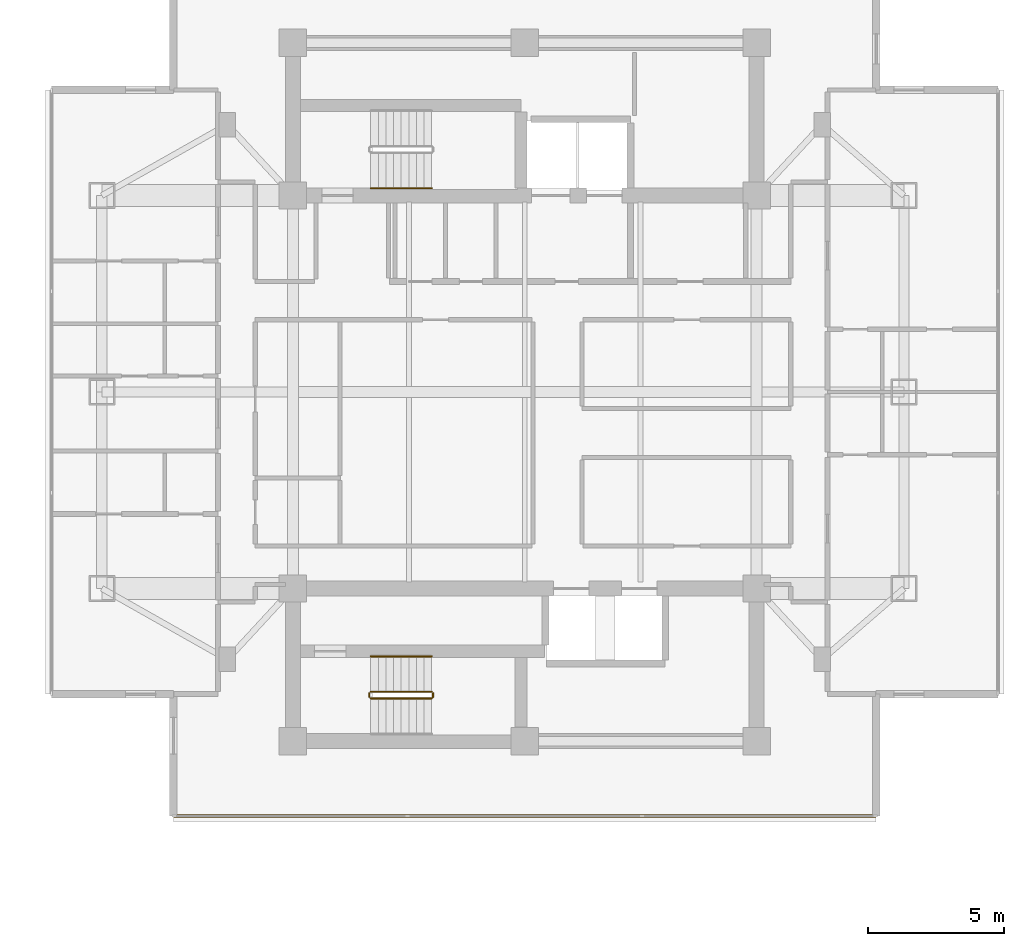
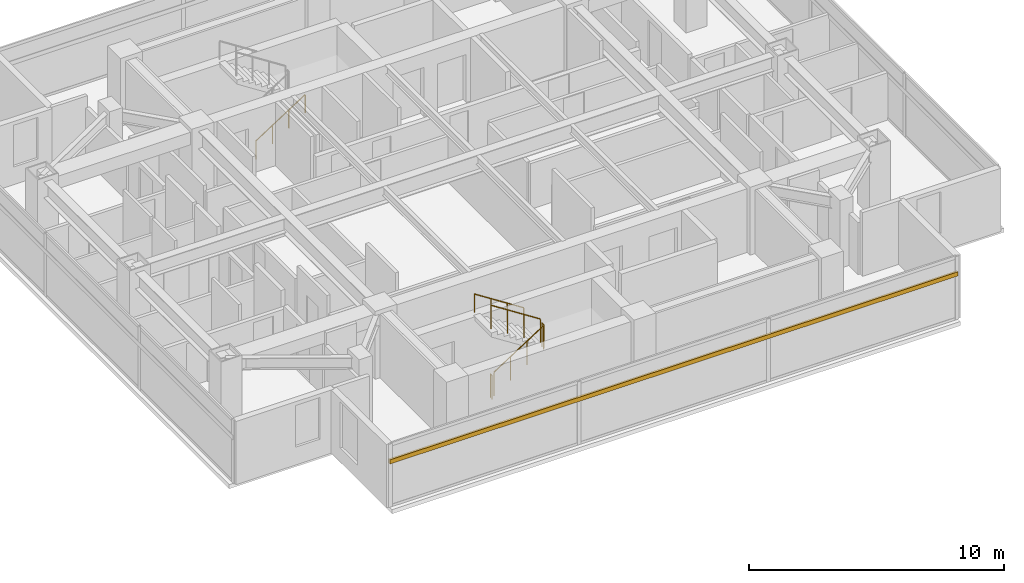
# One storey, part 22 of 24: 6 railings, 1 shading device.
"""IFC4 building model written with IfcOpenShell, lengths in metres."""

from ifc_helpers import new_model, si_unit, direction, frame, origin, origin_2d, place, context, subcontext, project, spatial, rectangle, circle, extrude, material, material_profile, profile_set, type_object, element, save


model = new_model("IFC4")

# Units and contexts
model_context = context("Model", 3, precision=1e-05, world=origin(), true_north=direction((0.0, 1.0)))
body_context = subcontext(model_context, "Body", "Model", "MODEL_VIEW")
ifc_project = project(units=[si_unit("LENGTHUNIT", "METRE"), si_unit("AREAUNIT", "SQUARE_METRE"), si_unit("VOLUMEUNIT", "CUBIC_METRE"), si_unit("PLANEANGLEUNIT", "RADIAN"), si_unit("MASSUNIT", "GRAM", prefix="KILO")], contexts=[model_context])

# Site, building, storey
site_placement = place(None, origin())
site = spatial("IfcSite", under=ifc_project, at=site_placement, CompositionType="ELEMENT")
building_placement = place(site_placement, origin())
building = spatial("IfcBuilding", under=site, at=building_placement, Name="Mirazonda Arch Towers", CompositionType="ELEMENT")
storey_placement = place(building_placement, frame((0.0, 0.0, 164.14990234375)))
storey = spatial("IfcBuildingStorey", under=building, at=storey_placement, Name="L46", CompositionType="ELEMENT", Elevation=164.14990234375)

# Shading device
ifc_material_1 = material(Name="Kiln-Fired Architectural Terracotta", Category="masonry")
ifc_material_profile = material_profile(ifc_material_1, rectangle(XDim=0.10009765625, YDim=0.199951171875, at=origin_2d()), Name="TERRA-BAG-100x200")
ifc_profile_set = profile_set([ifc_material_profile], Name="Kiln-Fired Architectural Terracotta")
shading_device_type = type_object("IfcShadingDeviceType", Name="BAGUETTE-2", PredefinedType="USERDEFINED", material=ifc_profile_set)
shading_device_placement = place(storey_placement, frame((89.38134765625, 12.45849609375, 2.181640625), z_axis=(-1.0, 0.0, 0.0), x_axis=(0.0, -1.0, 0.0)))
element("IfcShadingDevice", 1, at=shading_device_placement, inside=storey, type_object=shading_device_type, Name="L46 Glazed Terracotta Sun-Screen Baguette CW-L46-T2-S", ObjectType="BAGUETTE", PredefinedType="USERDEFINED", context=body_context, shape_type="SweptSolid", body=[
    extrude(rectangle(XDim=0.10009765625, YDim=0.199951171875, at=origin_2d()), origin(), (0.0, 0.0, 1.0), 25.7626953125),
])

# Railings
ifc_material_2 = material(Name="Architectural Brushed Steel S355", Category="steel")
railing_type_1 = type_object("IfcRailingType", Name="GUARD-STAIR-1120", PredefinedType="GUARDRAIL", material=ifc_material_2)
railing_1_placement = place(storey_placement, frame((70.85009765625, 16.77001953125, 0.1806640625)))
element("IfcRailing", 2, at=railing_1_placement, inside=storey, type_object=railing_type_1, Name="L46 ST-T2S stair guard 1", PredefinedType="GUARDRAIL", context=body_context, shape_type="SweptSolid", body=[
    extrude(circle(Radius=0.02392578125, at=origin_2d()), frame((0.0, 0.0, 1.1259765625), z_axis=(0.840436612492, 0.0, 0.541909863706), x_axis=(0.0, 1.0, 0.0)), (0.0, 0.0, 1.0), 2.665283203125),
    extrude(circle(Radius=0.02099609375, at=origin_2d()), origin(), (0.0, 0.0, 1.0), 1.101806640625),
    extrude(circle(Radius=0.02099609375, at=origin_2d()), frame((0.74658203125, 0.0, 0.4814453125)), (0.0, 0.0, 1.0), 1.101806640625),
    extrude(circle(Radius=0.02099609375, at=origin_2d()), frame((1.493408203125, 0.0, 0.962890625)), (0.0, 0.0, 1.0), 1.101806640625),
    extrude(circle(Radius=0.02099609375, at=origin_2d()), frame((2.239990234375, 0.0, 1.4443359375)), (0.0, 0.0, 1.0), 1.101806640625),
])
railing_2_placement = place(storey_placement, frame((73.139892578125, 16.820068359375, 1.625)))
element("IfcRailing", 3, at=railing_2_placement, inside=storey, type_object=railing_type_1, Name="L46 ST-T2S stair guard 2", PredefinedType="GUARDRAIL", context=body_context, shape_type="SweptSolid", body=[
    extrude(circle(Radius=0.02392578125, at=origin_2d()), frame((0.0, 0.0, 1.1259765625), z_axis=(0.0, 1.0, 0.0), x_axis=(-1.0, 0.0, 0.0)), (0.0, 0.0, 1.0), 0.139892578125),
    extrude(circle(Radius=0.02099609375, at=origin_2d()), origin(), (0.0, 0.0, 1.0), 1.101806640625),
    extrude(circle(Radius=0.02099609375, at=origin_2d()), frame((0.0, 0.139892578125, 0.0)), (0.0, 0.0, 1.0), 1.101806640625),
])
railing_3_placement = place(storey_placement, frame((73.090087890625, 17.010009765625, 1.8056640625)))
element("IfcRailing", 4, at=railing_3_placement, inside=storey, type_object=railing_type_1, Name="L46 ST-T2S stair guard 3", PredefinedType="GUARDRAIL", context=body_context, shape_type="SweptSolid", body=[
    extrude(circle(Radius=0.02392578125, at=origin_2d()), frame((0.0, 0.0, 1.1259765625), z_axis=(-0.840436612492, 0.0, 0.541909863706), x_axis=(0.0, -1.0, 0.0)), (0.0, 0.0, 1.0), 2.665283203125),
    extrude(circle(Radius=0.02099609375, at=origin_2d()), origin(), (0.0, 0.0, 1.0), 1.101806640625),
    extrude(circle(Radius=0.02099609375, at=origin_2d()), frame((-0.74658203125, 0.0, 0.4814453125)), (0.0, 0.0, 1.0), 1.101806640625),
    extrude(circle(Radius=0.02099609375, at=origin_2d()), frame((-1.493408203125, 0.0, 0.962890625)), (0.0, 0.0, 1.0), 1.101806640625),
    extrude(circle(Radius=0.02099609375, at=origin_2d()), frame((-2.239990234375, 0.0, 1.4443359375)), (0.0, 0.0, 1.0), 1.101806640625),
])
railing_4_placement = place(storey_placement, frame((70.800048828125, 16.820068359375, 0.0)))
element("IfcRailing", 5, at=railing_4_placement, inside=storey, type_object=railing_type_1, Name="L46 ST-T2S stair guard 4", PredefinedType="GUARDRAIL", context=body_context, shape_type="SweptSolid", body=[
    extrude(circle(Radius=0.02392578125, at=origin_2d()), frame((0.0, 0.0, 1.1259765625), z_axis=(0.0, 1.0, 0.0), x_axis=(-1.0, 0.0, 0.0)), (0.0, 0.0, 1.0), 0.139892578125),
    extrude(circle(Radius=0.02099609375, at=origin_2d()), origin(), (0.0, 0.0, 1.0), 1.101806640625),
    extrude(circle(Radius=0.02099609375, at=origin_2d()), frame((0.0, 0.139892578125, 0.0)), (0.0, 0.0, 1.0), 1.101806640625),
])
railing_type_2 = type_object("IfcRailingType", Name="HANDRAIL-915", PredefinedType="HANDRAIL", material=ifc_material_2)
railing_5_placement = place(storey_placement, frame((70.85009765625, 35.469970703125, 0.1806640625)))
element("IfcRailing", 6, at=railing_5_placement, inside=storey, type_object=railing_type_2, Name="L46 ST-T2N stair handrail 1", PredefinedType="HANDRAIL", context=body_context, shape_type="SweptSolid", body=[
    extrude(circle(Radius=0.02392578125, at=origin_2d()), frame((0.0, 0.0, 0.8759765625), z_axis=(0.840436612492, 0.0, 0.541909863706), x_axis=(0.0, 1.0, 0.0)), (0.0, 0.0, 1.0), 2.665283203125),
    extrude(circle(Radius=0.02099609375, at=origin_2d()), origin(), (0.0, 0.0, 1.0), 0.851806640625),
    extrude(circle(Radius=0.02099609375, at=origin_2d()), frame((0.74658203125, 0.0, 0.4814453125)), (0.0, 0.0, 1.0), 0.851806640625),
    extrude(circle(Radius=0.02099609375, at=origin_2d()), frame((1.493408203125, 0.0, 0.962890625)), (0.0, 0.0, 1.0), 0.851806640625),
    extrude(circle(Radius=0.02099609375, at=origin_2d()), frame((2.239990234375, 0.0, 1.4443359375)), (0.0, 0.0, 1.0), 0.851806640625),
])
railing_6_placement = place(storey_placement, frame((73.090087890625, 18.31005859375, 1.8056640625)))
element("IfcRailing", 7, at=railing_6_placement, inside=storey, type_object=railing_type_2, Name="L46 ST-T2S stair handrail 2", PredefinedType="HANDRAIL", context=body_context, shape_type="SweptSolid", body=[
    extrude(circle(Radius=0.02392578125, at=origin_2d()), frame((0.0, 0.0, 0.8759765625), z_axis=(-0.840436612492, 0.0, 0.541909863706), x_axis=(0.0, -1.0, 0.0)), (0.0, 0.0, 1.0), 2.665283203125),
    extrude(circle(Radius=0.02099609375, at=origin_2d()), origin(), (0.0, 0.0, 1.0), 0.851806640625),
    extrude(circle(Radius=0.02099609375, at=origin_2d()), frame((-0.74658203125, 0.0, 0.4814453125)), (0.0, 0.0, 1.0), 0.851806640625),
    extrude(circle(Radius=0.02099609375, at=origin_2d()), frame((-1.493408203125, 0.0, 0.962890625)), (0.0, 0.0, 1.0), 0.851806640625),
    extrude(circle(Radius=0.02099609375, at=origin_2d()), frame((-2.239990234375, 0.0, 1.4443359375)), (0.0, 0.0, 1.0), 0.851806640625),
])

save(model, "model.ifc")
